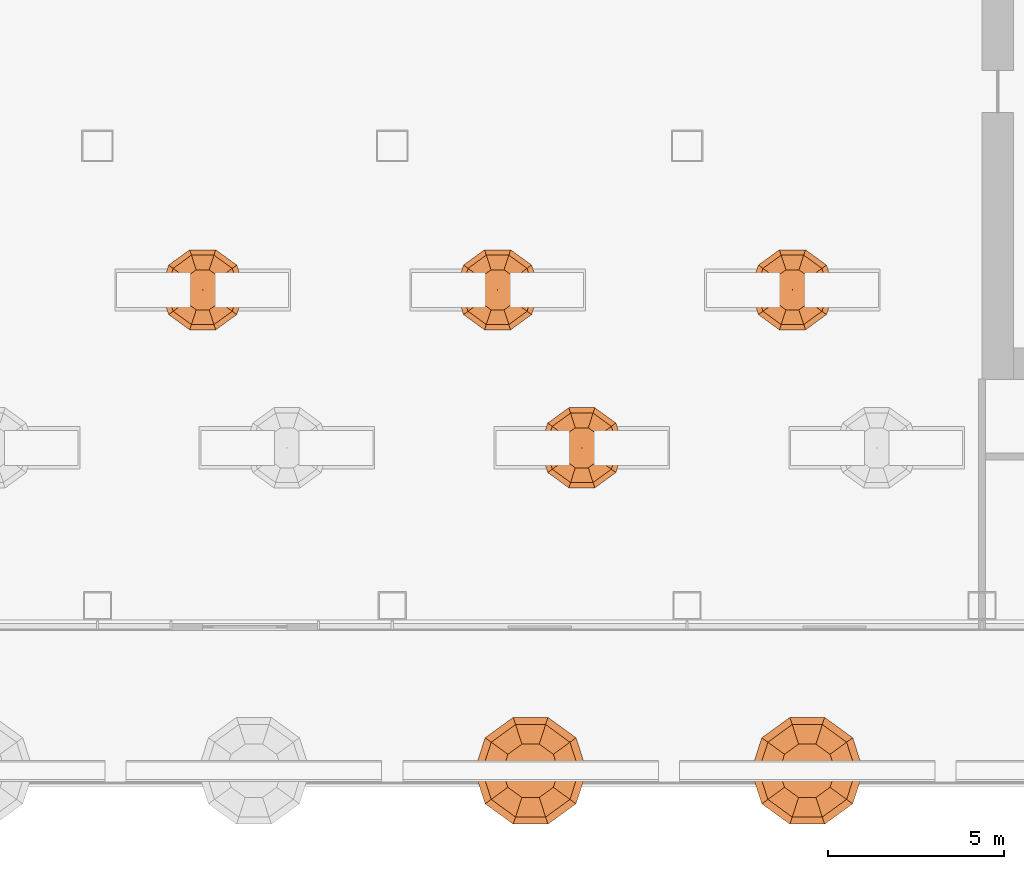
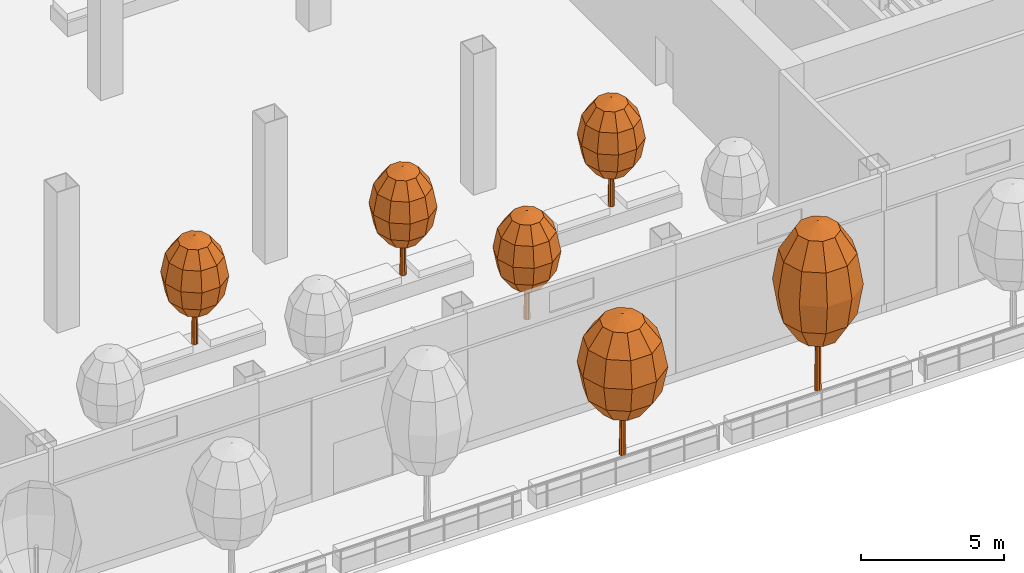
# One storey, part 40 of 44: 6 geographic elements.
"""IFC4 building model written with IfcOpenShell, lengths in metres."""

from ifc_helpers import new_model, si_unit, direction, frame, origin, place, context, subcontext, project, spatial, triangles, material, type_object, element, save


model = new_model("IFC4")

# Units and contexts
model_context = context("Model", 3, precision=1e-05, world=origin(), true_north=direction((0.0, 1.0)))
body_context = subcontext(model_context, "Body", "Model", "MODEL_VIEW")
ifc_project = project(units=[si_unit("LENGTHUNIT", "METRE"), si_unit("AREAUNIT", "SQUARE_METRE"), si_unit("VOLUMEUNIT", "CUBIC_METRE"), si_unit("PLANEANGLEUNIT", "RADIAN"), si_unit("MASSUNIT", "GRAM", prefix="KILO")], contexts=[model_context])

# Site, building, storey
site_placement = place(None, origin())
site = spatial("IfcSite", under=ifc_project, at=site_placement, CompositionType="ELEMENT")
building_placement = place(site_placement, origin())
building = spatial("IfcBuilding", under=site, at=building_placement, Name="Hakoniwa Tower and Hamabe Station Hall", CompositionType="ELEMENT")
storey_placement = place(building_placement, frame((0.0, 0.0, 69.0)))
storey = spatial("IfcBuildingStorey", under=building, at=storey_placement, Name="L19", CompositionType="ELEMENT", Elevation=69.0)

# Geographic elements
ifc_material_1 = material(Name="Tree foliage")
geographic_element_type_1 = type_object("IfcGeographicElementType", Name="Camellia 4.6 m", PredefinedType="USERDEFINED", material=ifc_material_1)
geographic_element_1_placement = place(storey_placement, frame((-5.39990234375, -5.85009765625, 0.60009765625)))
element("IfcGeographicElement", 1, at=geographic_element_1_placement, inside=storey, type_object=geographic_element_type_1, Name="Camellia 4-6 m", ObjectType="TREE", PredefinedType="USERDEFINED", context=body_context, shape_type="Tessellation", body=[
    triangles([(0.125, 0.0, 0.0), (0.08837890625, 0.08837890625, 0.0), (0.0, 0.125, 0.0), (-0.08837890625, 0.08837890625, 0.0), (-0.125, 0.0, 0.0), (-0.08837890625, -0.08837890625, 0.0), (0.0, -0.125, 0.0), (0.08837890625, -0.08837890625, 0.0), (0.074951171875, 0.0, 2.778564453125), (0.052978515625, 0.052978515625, 2.778564453125), (0.0, 0.074951171875, 2.778564453125), (-0.052978515625, 0.052978515625, 2.778564453125), (-0.074951171875, 0.0, 2.778564453125), (-0.052978515625, -0.052978515625, 2.778564453125), (0.0, -0.074951171875, 2.778564453125), (0.052978515625, -0.052978515625, 2.778564453125), (0.0, 0.0, 0.0), (0.0, 0.0, 2.778564453125)], [[1, 2, 10], [1, 10, 9], [17, 2, 1], [18, 9, 10], [2, 3, 11], [2, 11, 10], [17, 3, 2], [18, 10, 11], [3, 4, 12], [3, 12, 11], [17, 4, 3], [18, 11, 12], [4, 5, 13], [4, 13, 12], [17, 5, 4], [18, 12, 13], [5, 6, 14], [5, 14, 13], [17, 6, 5], [18, 13, 14], [6, 7, 15], [6, 15, 14], [17, 7, 6], [18, 14, 15], [7, 8, 16], [7, 16, 15], [17, 8, 7], [18, 15, 16], [8, 1, 9], [8, 9, 16], [17, 1, 8], [18, 16, 9]], closed=True),
    triangles([(0.0, 0.0, 1.2880859375), (0.599853515625, 0.0, 1.510009765625), (0.4853515625, 0.3525390625, 1.510009765625), (0.185302734375, 0.570556640625, 1.510009765625), (-0.185302734375, 0.570556640625, 1.510009765625), (-0.4853515625, 0.3525390625, 1.510009765625), (-0.599853515625, 0.0, 1.510009765625), (-0.4853515625, -0.3525390625, 1.510009765625), (-0.185302734375, -0.570556640625, 1.510009765625), (0.185302734375, -0.570556640625, 1.510009765625), (0.4853515625, -0.3525390625, 1.510009765625), (1.039306640625, 0.0, 2.115966796875), (0.8408203125, 0.61083984375, 2.115966796875), (0.321044921875, 0.98828125, 2.115966796875), (-0.321044921875, 0.98828125, 2.115966796875), (-0.8408203125, 0.61083984375, 2.115966796875), (-1.039306640625, 0.0, 2.115966796875), (-0.8408203125, -0.61083984375, 2.115966796875), (-0.321044921875, -0.98828125, 2.115966796875), (0.321044921875, -0.98828125, 2.115966796875), (0.8408203125, -0.61083984375, 2.115966796875), (1.199951171875, 0.0, 2.944091796875), (0.970703125, 0.705322265625, 2.944091796875), (0.370849609375, 1.14111328125, 2.944091796875), (-0.370849609375, 1.14111328125, 2.944091796875), (-0.970703125, 0.705322265625, 2.944091796875), (-1.199951171875, 0.0, 2.944091796875), (-0.970703125, -0.705322265625, 2.944091796875), (-0.370849609375, -1.14111328125, 2.944091796875), (0.370849609375, -1.14111328125, 2.944091796875), (0.970703125, -0.705322265625, 2.944091796875), (1.039306640625, 0.0, 3.77197265625), (0.8408203125, 0.61083984375, 3.77197265625), (0.321044921875, 0.98828125, 3.77197265625), (-0.321044921875, 0.98828125, 3.77197265625), (-0.8408203125, 0.61083984375, 3.77197265625), (-1.039306640625, 0.0, 3.77197265625), (-0.8408203125, -0.61083984375, 3.77197265625), (-0.321044921875, -0.98828125, 3.77197265625), (0.321044921875, -0.98828125, 3.77197265625), (0.8408203125, -0.61083984375, 3.77197265625), (0.599853515625, 0.0, 4.378173828125), (0.4853515625, 0.3525390625, 4.378173828125), (0.185302734375, 0.570556640625, 4.378173828125), (-0.185302734375, 0.570556640625, 4.378173828125), (-0.4853515625, 0.3525390625, 4.378173828125), (-0.599853515625, 0.0, 4.378173828125), (-0.4853515625, -0.3525390625, 4.378173828125), (-0.185302734375, -0.570556640625, 4.378173828125), (0.185302734375, -0.570556640625, 4.378173828125), (0.4853515625, -0.3525390625, 4.378173828125), (0.0, 0.0, 4.60009765625)], [[1, 3, 2], [1, 4, 3], [1, 5, 4], [1, 6, 5], [1, 7, 6], [1, 8, 7], [1, 9, 8], [1, 10, 9], [1, 11, 10], [1, 2, 11], [2, 3, 13], [2, 13, 12], [3, 4, 14], [3, 14, 13], [4, 5, 15], [4, 15, 14], [5, 6, 16], [5, 16, 15], [6, 7, 17], [6, 17, 16], [7, 8, 18], [7, 18, 17], [8, 9, 19], [8, 19, 18], [9, 10, 20], [9, 20, 19], [10, 11, 21], [10, 21, 20], [11, 2, 12], [11, 12, 21], [12, 13, 23], [12, 23, 22], [13, 14, 24], [13, 24, 23], [14, 15, 25], [14, 25, 24], [15, 16, 26], [15, 26, 25], [16, 17, 27], [16, 27, 26], [17, 18, 28], [17, 28, 27], [18, 19, 29], [18, 29, 28], [19, 20, 30], [19, 30, 29], [20, 21, 31], [20, 31, 30], [21, 12, 22], [21, 22, 31], [22, 23, 33], [22, 33, 32], [23, 24, 34], [23, 34, 33], [24, 25, 35], [24, 35, 34], [25, 26, 36], [25, 36, 35], [26, 27, 37], [26, 37, 36], [27, 28, 38], [27, 38, 37], [28, 29, 39], [28, 39, 38], [29, 30, 40], [29, 40, 39], [30, 31, 41], [30, 41, 40], [31, 22, 32], [31, 32, 41], [32, 33, 43], [32, 43, 42], [33, 34, 44], [33, 44, 43], [34, 35, 45], [34, 45, 44], [35, 36, 46], [35, 46, 45], [36, 37, 47], [36, 47, 46], [37, 38, 48], [37, 48, 47], [38, 39, 49], [38, 49, 48], [39, 40, 50], [39, 50, 49], [40, 41, 51], [40, 51, 50], [41, 32, 42], [41, 42, 51], [52, 42, 43], [52, 43, 44], [52, 44, 45], [52, 45, 46], [52, 46, 47], [52, 47, 48], [52, 48, 49], [52, 49, 50], [52, 50, 51], [52, 51, 42]], closed=True),
])
geographic_element_2_placement = place(storey_placement, frame((3.0, -5.85009765625, 0.60009765625)))
element("IfcGeographicElement", 2, at=geographic_element_2_placement, inside=storey, type_object=geographic_element_type_1, Name="Camellia 4-6 m", ObjectType="TREE", PredefinedType="USERDEFINED", context=body_context, shape_type="Tessellation", body=[
    triangles([(0.125, 0.0, 0.0), (0.08837890625, 0.08837890625, 0.0), (0.0, 0.125, 0.0), (-0.08837890625, 0.08837890625, 0.0), (-0.125, 0.0, 0.0), (-0.08837890625, -0.08837890625, 0.0), (0.0, -0.125, 0.0), (0.08837890625, -0.08837890625, 0.0), (0.074951171875, 0.0, 2.778564453125), (0.052978515625, 0.052978515625, 2.778564453125), (0.0, 0.074951171875, 2.778564453125), (-0.052978515625, 0.052978515625, 2.778564453125), (-0.074951171875, 0.0, 2.778564453125), (-0.052978515625, -0.052978515625, 2.778564453125), (0.0, -0.074951171875, 2.778564453125), (0.052978515625, -0.052978515625, 2.778564453125), (0.0, 0.0, 0.0), (0.0, 0.0, 2.778564453125)], [[1, 2, 10], [1, 10, 9], [17, 2, 1], [18, 9, 10], [2, 3, 11], [2, 11, 10], [17, 3, 2], [18, 10, 11], [3, 4, 12], [3, 12, 11], [17, 4, 3], [18, 11, 12], [4, 5, 13], [4, 13, 12], [17, 5, 4], [18, 12, 13], [5, 6, 14], [5, 14, 13], [17, 6, 5], [18, 13, 14], [6, 7, 15], [6, 15, 14], [17, 7, 6], [18, 14, 15], [7, 8, 16], [7, 16, 15], [17, 8, 7], [18, 15, 16], [8, 1, 9], [8, 9, 16], [17, 1, 8], [18, 16, 9]], closed=True),
    triangles([(0.0, 0.0, 1.2880859375), (0.599853515625, 0.0, 1.510009765625), (0.4853515625, 0.3525390625, 1.510009765625), (0.185302734375, 0.570556640625, 1.510009765625), (-0.185302734375, 0.570556640625, 1.510009765625), (-0.4853515625, 0.3525390625, 1.510009765625), (-0.599853515625, 0.0, 1.510009765625), (-0.4853515625, -0.3525390625, 1.510009765625), (-0.185302734375, -0.570556640625, 1.510009765625), (0.185302734375, -0.570556640625, 1.510009765625), (0.4853515625, -0.3525390625, 1.510009765625), (1.039306640625, 0.0, 2.115966796875), (0.8408203125, 0.61083984375, 2.115966796875), (0.321044921875, 0.98828125, 2.115966796875), (-0.321044921875, 0.98828125, 2.115966796875), (-0.8408203125, 0.61083984375, 2.115966796875), (-1.039306640625, 0.0, 2.115966796875), (-0.8408203125, -0.61083984375, 2.115966796875), (-0.321044921875, -0.98828125, 2.115966796875), (0.321044921875, -0.98828125, 2.115966796875), (0.8408203125, -0.61083984375, 2.115966796875), (1.199951171875, 0.0, 2.944091796875), (0.970703125, 0.705322265625, 2.944091796875), (0.370849609375, 1.14111328125, 2.944091796875), (-0.370849609375, 1.14111328125, 2.944091796875), (-0.970703125, 0.705322265625, 2.944091796875), (-1.199951171875, 0.0, 2.944091796875), (-0.970703125, -0.705322265625, 2.944091796875), (-0.370849609375, -1.14111328125, 2.944091796875), (0.370849609375, -1.14111328125, 2.944091796875), (0.970703125, -0.705322265625, 2.944091796875), (1.039306640625, 0.0, 3.77197265625), (0.8408203125, 0.61083984375, 3.77197265625), (0.321044921875, 0.98828125, 3.77197265625), (-0.321044921875, 0.98828125, 3.77197265625), (-0.8408203125, 0.61083984375, 3.77197265625), (-1.039306640625, 0.0, 3.77197265625), (-0.8408203125, -0.61083984375, 3.77197265625), (-0.321044921875, -0.98828125, 3.77197265625), (0.321044921875, -0.98828125, 3.77197265625), (0.8408203125, -0.61083984375, 3.77197265625), (0.599853515625, 0.0, 4.378173828125), (0.4853515625, 0.3525390625, 4.378173828125), (0.185302734375, 0.570556640625, 4.378173828125), (-0.185302734375, 0.570556640625, 4.378173828125), (-0.4853515625, 0.3525390625, 4.378173828125), (-0.599853515625, 0.0, 4.378173828125), (-0.4853515625, -0.3525390625, 4.378173828125), (-0.185302734375, -0.570556640625, 4.378173828125), (0.185302734375, -0.570556640625, 4.378173828125), (0.4853515625, -0.3525390625, 4.378173828125), (0.0, 0.0, 4.60009765625)], [[1, 3, 2], [1, 4, 3], [1, 5, 4], [1, 6, 5], [1, 7, 6], [1, 8, 7], [1, 9, 8], [1, 10, 9], [1, 11, 10], [1, 2, 11], [2, 3, 13], [2, 13, 12], [3, 4, 14], [3, 14, 13], [4, 5, 15], [4, 15, 14], [5, 6, 16], [5, 16, 15], [6, 7, 17], [6, 17, 16], [7, 8, 18], [7, 18, 17], [8, 9, 19], [8, 19, 18], [9, 10, 20], [9, 20, 19], [10, 11, 21], [10, 21, 20], [11, 2, 12], [11, 12, 21], [12, 13, 23], [12, 23, 22], [13, 14, 24], [13, 24, 23], [14, 15, 25], [14, 25, 24], [15, 16, 26], [15, 26, 25], [16, 17, 27], [16, 27, 26], [17, 18, 28], [17, 28, 27], [18, 19, 29], [18, 29, 28], [19, 20, 30], [19, 30, 29], [20, 21, 31], [20, 31, 30], [21, 12, 22], [21, 22, 31], [22, 23, 33], [22, 33, 32], [23, 24, 34], [23, 34, 33], [24, 25, 35], [24, 35, 34], [25, 26, 36], [25, 36, 35], [26, 27, 37], [26, 37, 36], [27, 28, 38], [27, 38, 37], [28, 29, 39], [28, 39, 38], [29, 30, 40], [29, 40, 39], [30, 31, 41], [30, 41, 40], [31, 22, 32], [31, 32, 41], [32, 33, 43], [32, 43, 42], [33, 34, 44], [33, 44, 43], [34, 35, 45], [34, 45, 44], [35, 36, 46], [35, 46, 45], [36, 37, 47], [36, 47, 46], [37, 38, 48], [37, 48, 47], [38, 39, 49], [38, 49, 48], [39, 40, 50], [39, 50, 49], [40, 41, 51], [40, 51, 50], [41, 32, 42], [41, 42, 51], [52, 42, 43], [52, 43, 44], [52, 44, 45], [52, 45, 46], [52, 46, 47], [52, 47, 48], [52, 48, 49], [52, 49, 50], [52, 50, 51], [52, 51, 42]], closed=True),
])
geographic_element_3_placement = place(storey_placement, frame((11.39990234375, -5.85009765625, 0.60009765625)))
element("IfcGeographicElement", 3, at=geographic_element_3_placement, inside=storey, type_object=geographic_element_type_1, Name="Camellia 4-6 m", ObjectType="TREE", PredefinedType="USERDEFINED", context=body_context, shape_type="Tessellation", body=[
    triangles([(0.125, 0.0, 0.0), (0.08837890625, 0.08837890625, 0.0), (0.0, 0.125, 0.0), (-0.08837890625, 0.08837890625, 0.0), (-0.125, 0.0, 0.0), (-0.08837890625, -0.08837890625, 0.0), (0.0, -0.125, 0.0), (0.08837890625, -0.08837890625, 0.0), (0.074951171875, 0.0, 2.778564453125), (0.052978515625, 0.052978515625, 2.778564453125), (0.0, 0.074951171875, 2.778564453125), (-0.052978515625, 0.052978515625, 2.778564453125), (-0.074951171875, 0.0, 2.778564453125), (-0.052978515625, -0.052978515625, 2.778564453125), (0.0, -0.074951171875, 2.778564453125), (0.052978515625, -0.052978515625, 2.778564453125), (0.0, 0.0, 0.0), (0.0, 0.0, 2.778564453125)], [[1, 2, 10], [1, 10, 9], [17, 2, 1], [18, 9, 10], [2, 3, 11], [2, 11, 10], [17, 3, 2], [18, 10, 11], [3, 4, 12], [3, 12, 11], [17, 4, 3], [18, 11, 12], [4, 5, 13], [4, 13, 12], [17, 5, 4], [18, 12, 13], [5, 6, 14], [5, 14, 13], [17, 6, 5], [18, 13, 14], [6, 7, 15], [6, 15, 14], [17, 7, 6], [18, 14, 15], [7, 8, 16], [7, 16, 15], [17, 8, 7], [18, 15, 16], [8, 1, 9], [8, 9, 16], [17, 1, 8], [18, 16, 9]], closed=True),
    triangles([(0.0, 0.0, 1.2880859375), (0.599853515625, 0.0, 1.510009765625), (0.4853515625, 0.3525390625, 1.510009765625), (0.185302734375, 0.570556640625, 1.510009765625), (-0.185302734375, 0.570556640625, 1.510009765625), (-0.4853515625, 0.3525390625, 1.510009765625), (-0.599853515625, 0.0, 1.510009765625), (-0.4853515625, -0.3525390625, 1.510009765625), (-0.185302734375, -0.570556640625, 1.510009765625), (0.185302734375, -0.570556640625, 1.510009765625), (0.4853515625, -0.3525390625, 1.510009765625), (1.039306640625, 0.0, 2.115966796875), (0.8408203125, 0.61083984375, 2.115966796875), (0.321044921875, 0.98828125, 2.115966796875), (-0.321044921875, 0.98828125, 2.115966796875), (-0.8408203125, 0.61083984375, 2.115966796875), (-1.039306640625, 0.0, 2.115966796875), (-0.8408203125, -0.61083984375, 2.115966796875), (-0.321044921875, -0.98828125, 2.115966796875), (0.321044921875, -0.98828125, 2.115966796875), (0.8408203125, -0.61083984375, 2.115966796875), (1.199951171875, 0.0, 2.944091796875), (0.970703125, 0.705322265625, 2.944091796875), (0.370849609375, 1.14111328125, 2.944091796875), (-0.370849609375, 1.14111328125, 2.944091796875), (-0.970703125, 0.705322265625, 2.944091796875), (-1.199951171875, 0.0, 2.944091796875), (-0.970703125, -0.705322265625, 2.944091796875), (-0.370849609375, -1.14111328125, 2.944091796875), (0.370849609375, -1.14111328125, 2.944091796875), (0.970703125, -0.705322265625, 2.944091796875), (1.039306640625, 0.0, 3.77197265625), (0.8408203125, 0.61083984375, 3.77197265625), (0.321044921875, 0.98828125, 3.77197265625), (-0.321044921875, 0.98828125, 3.77197265625), (-0.8408203125, 0.61083984375, 3.77197265625), (-1.039306640625, 0.0, 3.77197265625), (-0.8408203125, -0.61083984375, 3.77197265625), (-0.321044921875, -0.98828125, 3.77197265625), (0.321044921875, -0.98828125, 3.77197265625), (0.8408203125, -0.61083984375, 3.77197265625), (0.599853515625, 0.0, 4.378173828125), (0.4853515625, 0.3525390625, 4.378173828125), (0.185302734375, 0.570556640625, 4.378173828125), (-0.185302734375, 0.570556640625, 4.378173828125), (-0.4853515625, 0.3525390625, 4.378173828125), (-0.599853515625, 0.0, 4.378173828125), (-0.4853515625, -0.3525390625, 4.378173828125), (-0.185302734375, -0.570556640625, 4.378173828125), (0.185302734375, -0.570556640625, 4.378173828125), (0.4853515625, -0.3525390625, 4.378173828125), (0.0, 0.0, 4.60009765625)], [[1, 3, 2], [1, 4, 3], [1, 5, 4], [1, 6, 5], [1, 7, 6], [1, 8, 7], [1, 9, 8], [1, 10, 9], [1, 11, 10], [1, 2, 11], [2, 3, 13], [2, 13, 12], [3, 4, 14], [3, 14, 13], [4, 5, 15], [4, 15, 14], [5, 6, 16], [5, 16, 15], [6, 7, 17], [6, 17, 16], [7, 8, 18], [7, 18, 17], [8, 9, 19], [8, 19, 18], [9, 10, 20], [9, 20, 19], [10, 11, 21], [10, 21, 20], [11, 2, 12], [11, 12, 21], [12, 13, 23], [12, 23, 22], [13, 14, 24], [13, 24, 23], [14, 15, 25], [14, 25, 24], [15, 16, 26], [15, 26, 25], [16, 17, 27], [16, 27, 26], [17, 18, 28], [17, 28, 27], [18, 19, 29], [18, 29, 28], [19, 20, 30], [19, 30, 29], [20, 21, 31], [20, 31, 30], [21, 12, 22], [21, 22, 31], [22, 23, 33], [22, 33, 32], [23, 24, 34], [23, 34, 33], [24, 25, 35], [24, 35, 34], [25, 26, 36], [25, 36, 35], [26, 27, 37], [26, 37, 36], [27, 28, 38], [27, 38, 37], [28, 29, 39], [28, 39, 38], [29, 30, 40], [29, 40, 39], [30, 31, 41], [30, 41, 40], [31, 22, 32], [31, 32, 41], [32, 33, 43], [32, 43, 42], [33, 34, 44], [33, 44, 43], [34, 35, 45], [34, 45, 44], [35, 36, 46], [35, 46, 45], [36, 37, 47], [36, 47, 46], [37, 38, 48], [37, 48, 47], [38, 39, 49], [38, 49, 48], [39, 40, 50], [39, 50, 49], [40, 41, 51], [40, 51, 50], [41, 32, 42], [41, 42, 51], [52, 42, 43], [52, 43, 44], [52, 44, 45], [52, 45, 46], [52, 46, 47], [52, 47, 48], [52, 48, 49], [52, 49, 50], [52, 50, 51], [52, 51, 42]], closed=True),
])
geographic_element_4_placement = place(storey_placement, frame((5.39990234375, -10.35009765625, 0.60009765625)))
element("IfcGeographicElement", 4, at=geographic_element_4_placement, inside=storey, type_object=geographic_element_type_1, Name="Camellia 4-6 m", ObjectType="TREE", PredefinedType="USERDEFINED", context=body_context, shape_type="Tessellation", body=[
    triangles([(0.125, 0.0, 0.0), (0.08837890625, 0.08837890625, 0.0), (0.0, 0.125, 0.0), (-0.08837890625, 0.08837890625, 0.0), (-0.125, 0.0, 0.0), (-0.08837890625, -0.08837890625, 0.0), (0.0, -0.125, 0.0), (0.08837890625, -0.08837890625, 0.0), (0.074951171875, 0.0, 2.778564453125), (0.052978515625, 0.052978515625, 2.778564453125), (0.0, 0.074951171875, 2.778564453125), (-0.052978515625, 0.052978515625, 2.778564453125), (-0.074951171875, 0.0, 2.778564453125), (-0.052978515625, -0.052978515625, 2.778564453125), (0.0, -0.074951171875, 2.778564453125), (0.052978515625, -0.052978515625, 2.778564453125), (0.0, 0.0, 0.0), (0.0, 0.0, 2.778564453125)], [[1, 2, 10], [1, 10, 9], [17, 2, 1], [18, 9, 10], [2, 3, 11], [2, 11, 10], [17, 3, 2], [18, 10, 11], [3, 4, 12], [3, 12, 11], [17, 4, 3], [18, 11, 12], [4, 5, 13], [4, 13, 12], [17, 5, 4], [18, 12, 13], [5, 6, 14], [5, 14, 13], [17, 6, 5], [18, 13, 14], [6, 7, 15], [6, 15, 14], [17, 7, 6], [18, 14, 15], [7, 8, 16], [7, 16, 15], [17, 8, 7], [18, 15, 16], [8, 1, 9], [8, 9, 16], [17, 1, 8], [18, 16, 9]], closed=True),
    triangles([(0.0, 0.0, 1.2880859375), (0.599853515625, 0.0, 1.510009765625), (0.4853515625, 0.3525390625, 1.510009765625), (0.185302734375, 0.570556640625, 1.510009765625), (-0.185302734375, 0.570556640625, 1.510009765625), (-0.4853515625, 0.3525390625, 1.510009765625), (-0.599853515625, 0.0, 1.510009765625), (-0.4853515625, -0.3525390625, 1.510009765625), (-0.185302734375, -0.570556640625, 1.510009765625), (0.185302734375, -0.570556640625, 1.510009765625), (0.4853515625, -0.3525390625, 1.510009765625), (1.039306640625, 0.0, 2.115966796875), (0.8408203125, 0.61083984375, 2.115966796875), (0.321044921875, 0.98828125, 2.115966796875), (-0.321044921875, 0.98828125, 2.115966796875), (-0.8408203125, 0.61083984375, 2.115966796875), (-1.039306640625, 0.0, 2.115966796875), (-0.8408203125, -0.61083984375, 2.115966796875), (-0.321044921875, -0.98828125, 2.115966796875), (0.321044921875, -0.98828125, 2.115966796875), (0.8408203125, -0.61083984375, 2.115966796875), (1.199951171875, 0.0, 2.944091796875), (0.970703125, 0.705322265625, 2.944091796875), (0.370849609375, 1.14111328125, 2.944091796875), (-0.370849609375, 1.14111328125, 2.944091796875), (-0.970703125, 0.705322265625, 2.944091796875), (-1.199951171875, 0.0, 2.944091796875), (-0.970703125, -0.705322265625, 2.944091796875), (-0.370849609375, -1.14111328125, 2.944091796875), (0.370849609375, -1.14111328125, 2.944091796875), (0.970703125, -0.705322265625, 2.944091796875), (1.039306640625, 0.0, 3.77197265625), (0.8408203125, 0.61083984375, 3.77197265625), (0.321044921875, 0.98828125, 3.77197265625), (-0.321044921875, 0.98828125, 3.77197265625), (-0.8408203125, 0.61083984375, 3.77197265625), (-1.039306640625, 0.0, 3.77197265625), (-0.8408203125, -0.61083984375, 3.77197265625), (-0.321044921875, -0.98828125, 3.77197265625), (0.321044921875, -0.98828125, 3.77197265625), (0.8408203125, -0.61083984375, 3.77197265625), (0.599853515625, 0.0, 4.378173828125), (0.4853515625, 0.3525390625, 4.378173828125), (0.185302734375, 0.570556640625, 4.378173828125), (-0.185302734375, 0.570556640625, 4.378173828125), (-0.4853515625, 0.3525390625, 4.378173828125), (-0.599853515625, 0.0, 4.378173828125), (-0.4853515625, -0.3525390625, 4.378173828125), (-0.185302734375, -0.570556640625, 4.378173828125), (0.185302734375, -0.570556640625, 4.378173828125), (0.4853515625, -0.3525390625, 4.378173828125), (0.0, 0.0, 4.60009765625)], [[1, 3, 2], [1, 4, 3], [1, 5, 4], [1, 6, 5], [1, 7, 6], [1, 8, 7], [1, 9, 8], [1, 10, 9], [1, 11, 10], [1, 2, 11], [2, 3, 13], [2, 13, 12], [3, 4, 14], [3, 14, 13], [4, 5, 15], [4, 15, 14], [5, 6, 16], [5, 16, 15], [6, 7, 17], [6, 17, 16], [7, 8, 18], [7, 18, 17], [8, 9, 19], [8, 19, 18], [9, 10, 20], [9, 20, 19], [10, 11, 21], [10, 21, 20], [11, 2, 12], [11, 12, 21], [12, 13, 23], [12, 23, 22], [13, 14, 24], [13, 24, 23], [14, 15, 25], [14, 25, 24], [15, 16, 26], [15, 26, 25], [16, 17, 27], [16, 27, 26], [17, 18, 28], [17, 28, 27], [18, 19, 29], [18, 29, 28], [19, 20, 30], [19, 30, 29], [20, 21, 31], [20, 31, 30], [21, 12, 22], [21, 22, 31], [22, 23, 33], [22, 33, 32], [23, 24, 34], [23, 34, 33], [24, 25, 35], [24, 35, 34], [25, 26, 36], [25, 36, 35], [26, 27, 37], [26, 37, 36], [27, 28, 38], [27, 38, 37], [28, 29, 39], [28, 39, 38], [29, 30, 40], [29, 40, 39], [30, 31, 41], [30, 41, 40], [31, 22, 32], [31, 32, 41], [32, 33, 43], [32, 43, 42], [33, 34, 44], [33, 44, 43], [34, 35, 45], [34, 45, 44], [35, 36, 46], [35, 46, 45], [36, 37, 47], [36, 47, 46], [37, 38, 48], [37, 48, 47], [38, 39, 49], [38, 49, 48], [39, 40, 50], [39, 50, 49], [40, 41, 51], [40, 51, 50], [41, 32, 42], [41, 42, 51], [52, 42, 43], [52, 43, 44], [52, 44, 45], [52, 45, 46], [52, 46, 47], [52, 47, 48], [52, 48, 49], [52, 49, 50], [52, 50, 51], [52, 51, 42]], closed=True),
])
ifc_material_2 = material(Name="Tree foliage")
geographic_element_type_2 = type_object("IfcGeographicElementType", Name="Japanese maple 7.2 m", PredefinedType="USERDEFINED", material=ifc_material_2)
geographic_element_5_placement = place(storey_placement, frame((11.82177734375, -19.551025390625, 0.89990234375)))
element("IfcGeographicElement", 5, at=geographic_element_5_placement, inside=storey, type_object=geographic_element_type_2, Name="Japanese maple 7-2 m", ObjectType="TREE", PredefinedType="USERDEFINED", context=body_context, shape_type="Tessellation", body=[
    triangles([(0.125, 0.0, 0.0), (0.08837890625, 0.08837890625, 0.0), (0.0, 0.125, 0.0), (-0.08837890625, 0.08837890625, 0.0), (-0.125, 0.0, 0.0), (-0.08837890625, -0.08837890625, 0.0), (0.0, -0.125, 0.0), (0.08837890625, -0.08837890625, 0.0), (0.074951171875, 0.0, 4.348876953125), (0.052978515625, 0.052978515625, 4.348876953125), (0.0, 0.074951171875, 4.348876953125), (-0.052978515625, 0.052978515625, 4.348876953125), (-0.074951171875, 0.0, 4.348876953125), (-0.052978515625, -0.052978515625, 4.348876953125), (0.0, -0.074951171875, 4.348876953125), (0.052978515625, -0.052978515625, 4.348876953125), (0.0, 0.0, 0.0), (0.0, 0.0, 4.348876953125)], [[1, 2, 10], [1, 10, 9], [17, 2, 1], [18, 9, 10], [2, 3, 11], [2, 11, 10], [17, 3, 2], [18, 10, 11], [3, 4, 12], [3, 12, 11], [17, 4, 3], [18, 11, 12], [4, 5, 13], [4, 13, 12], [17, 5, 4], [18, 12, 13], [5, 6, 14], [5, 14, 13], [17, 6, 5], [18, 13, 14], [6, 7, 15], [6, 15, 14], [17, 7, 6], [18, 14, 15], [7, 8, 16], [7, 16, 15], [17, 8, 7], [18, 15, 16], [8, 1, 9], [8, 9, 16], [17, 1, 8], [18, 16, 9]], closed=True),
    triangles([(0.0, 0.0, 2.015869140625), (0.800048828125, 0.0, 2.36328125), (0.647216796875, 0.47021484375, 2.36328125), (0.247314453125, 0.7607421875, 2.36328125), (-0.247314453125, 0.7607421875, 2.36328125), (-0.647216796875, 0.47021484375, 2.36328125), (-0.800048828125, 0.0, 2.36328125), (-0.647216796875, -0.47021484375, 2.36328125), (-0.247314453125, -0.7607421875, 2.36328125), (0.247314453125, -0.7607421875, 2.36328125), (0.647216796875, -0.47021484375, 2.36328125), (1.385498046875, 0.0, 3.31201171875), (1.12109375, 0.814453125, 3.31201171875), (0.42822265625, 1.31787109375, 3.31201171875), (-0.42822265625, 1.31787109375, 3.31201171875), (-1.12109375, 0.814453125, 3.31201171875), (-1.385498046875, 0.0, 3.31201171875), (-1.12109375, -0.814453125, 3.31201171875), (-0.42822265625, -1.31787109375, 3.31201171875), (0.42822265625, -1.31787109375, 3.31201171875), (1.12109375, -0.814453125, 3.31201171875), (1.60009765625, 0.0, 4.60791015625), (1.29443359375, 0.9404296875, 4.60791015625), (0.494384765625, 1.521728515625, 4.60791015625), (-0.494384765625, 1.521728515625, 4.60791015625), (-1.29443359375, 0.9404296875, 4.60791015625), (-1.60009765625, 0.0, 4.60791015625), (-1.29443359375, -0.9404296875, 4.60791015625), (-0.494384765625, -1.521728515625, 4.60791015625), (0.494384765625, -1.521728515625, 4.60791015625), (1.29443359375, -0.9404296875, 4.60791015625), (1.385498046875, 0.0, 5.904052734375), (1.12109375, 0.814453125, 5.904052734375), (0.42822265625, 1.31787109375, 5.904052734375), (-0.42822265625, 1.31787109375, 5.904052734375), (-1.12109375, 0.814453125, 5.904052734375), (-1.385498046875, 0.0, 5.904052734375), (-1.12109375, -0.814453125, 5.904052734375), (-0.42822265625, -1.31787109375, 5.904052734375), (0.42822265625, -1.31787109375, 5.904052734375), (1.12109375, -0.814453125, 5.904052734375), (0.800048828125, 0.0, 6.852783203125), (0.647216796875, 0.47021484375, 6.852783203125), (0.247314453125, 0.7607421875, 6.852783203125), (-0.247314453125, 0.7607421875, 6.852783203125), (-0.647216796875, 0.47021484375, 6.852783203125), (-0.800048828125, 0.0, 6.852783203125), (-0.647216796875, -0.47021484375, 6.852783203125), (-0.247314453125, -0.7607421875, 6.852783203125), (0.247314453125, -0.7607421875, 6.852783203125), (0.647216796875, -0.47021484375, 6.852783203125), (0.0, 0.0, 7.199951171875)], [[1, 3, 2], [1, 4, 3], [1, 5, 4], [1, 6, 5], [1, 7, 6], [1, 8, 7], [1, 9, 8], [1, 10, 9], [1, 11, 10], [1, 2, 11], [2, 3, 13], [2, 13, 12], [3, 4, 14], [3, 14, 13], [4, 5, 15], [4, 15, 14], [5, 6, 16], [5, 16, 15], [6, 7, 17], [6, 17, 16], [7, 8, 18], [7, 18, 17], [8, 9, 19], [8, 19, 18], [9, 10, 20], [9, 20, 19], [10, 11, 21], [10, 21, 20], [11, 2, 12], [11, 12, 21], [12, 13, 23], [12, 23, 22], [13, 14, 24], [13, 24, 23], [14, 15, 25], [14, 25, 24], [15, 16, 26], [15, 26, 25], [16, 17, 27], [16, 27, 26], [17, 18, 28], [17, 28, 27], [18, 19, 29], [18, 29, 28], [19, 20, 30], [19, 30, 29], [20, 21, 31], [20, 31, 30], [21, 12, 22], [21, 22, 31], [22, 23, 33], [22, 33, 32], [23, 24, 34], [23, 34, 33], [24, 25, 35], [24, 35, 34], [25, 26, 36], [25, 36, 35], [26, 27, 37], [26, 37, 36], [27, 28, 38], [27, 38, 37], [28, 29, 39], [28, 39, 38], [29, 30, 40], [29, 40, 39], [30, 31, 41], [30, 41, 40], [31, 22, 32], [31, 32, 41], [32, 33, 43], [32, 43, 42], [33, 34, 44], [33, 44, 43], [34, 35, 45], [34, 45, 44], [35, 36, 46], [35, 46, 45], [36, 37, 47], [36, 47, 46], [37, 38, 48], [37, 48, 47], [38, 39, 49], [38, 49, 48], [39, 40, 50], [39, 50, 49], [40, 41, 51], [40, 51, 50], [41, 32, 42], [41, 42, 51], [52, 42, 43], [52, 43, 44], [52, 44, 45], [52, 45, 46], [52, 46, 47], [52, 47, 48], [52, 48, 49], [52, 49, 50], [52, 50, 51], [52, 51, 42]], closed=True),
])
ifc_material_3 = material(Name="Tree foliage")
geographic_element_type_3 = type_object("IfcGeographicElementType", Name="Osmanthus 6.0 m", PredefinedType="USERDEFINED", material=ifc_material_3)
geographic_element_6_placement = place(storey_placement, frame((3.940673828125, -19.551025390625, 0.89990234375)))
element("IfcGeographicElement", 6, at=geographic_element_6_placement, inside=storey, type_object=geographic_element_type_3, Name="Osmanthus 6-0 m", ObjectType="TREE", PredefinedType="USERDEFINED", context=body_context, shape_type="Tessellation", body=[
    triangles([(0.125, 0.0, 0.0), (0.08837890625, 0.08837890625, 0.0), (0.0, 0.125, 0.0), (-0.08837890625, 0.08837890625, 0.0), (-0.125, 0.0, 0.0), (-0.08837890625, -0.08837890625, 0.0), (0.0, -0.125, 0.0), (0.08837890625, -0.08837890625, 0.0), (0.074951171875, 0.0, 3.6240234375), (0.052978515625, 0.052978515625, 3.6240234375), (0.0, 0.074951171875, 3.6240234375), (-0.052978515625, 0.052978515625, 3.6240234375), (-0.074951171875, 0.0, 3.6240234375), (-0.052978515625, -0.052978515625, 3.6240234375), (0.0, -0.074951171875, 3.6240234375), (0.052978515625, -0.052978515625, 3.6240234375), (0.0, 0.0, 0.0), (0.0, 0.0, 3.6240234375)], [[1, 2, 10], [1, 10, 9], [17, 2, 1], [18, 9, 10], [2, 3, 11], [2, 11, 10], [17, 3, 2], [18, 10, 11], [3, 4, 12], [3, 12, 11], [17, 4, 3], [18, 11, 12], [4, 5, 13], [4, 13, 12], [17, 5, 4], [18, 12, 13], [5, 6, 14], [5, 14, 13], [17, 6, 5], [18, 13, 14], [6, 7, 15], [6, 15, 14], [17, 7, 6], [18, 14, 15], [7, 8, 16], [7, 16, 15], [17, 8, 7], [18, 15, 16], [8, 1, 9], [8, 9, 16], [17, 1, 8], [18, 16, 9]], closed=True),
    triangles([(0.0, 0.0, 1.679931640625), (0.800048828125, 0.0, 1.969482421875), (0.647216796875, 0.47021484375, 1.969482421875), (0.247314453125, 0.7607421875, 1.969482421875), (-0.247314453125, 0.7607421875, 1.969482421875), (-0.647216796875, 0.47021484375, 1.969482421875), (-0.800048828125, 0.0, 1.969482421875), (-0.647216796875, -0.47021484375, 1.969482421875), (-0.247314453125, -0.7607421875, 1.969482421875), (0.247314453125, -0.7607421875, 1.969482421875), (0.647216796875, -0.47021484375, 1.969482421875), (1.385498046875, 0.0, 2.760009765625), (1.12109375, 0.814453125, 2.760009765625), (0.42822265625, 1.31787109375, 2.760009765625), (-0.42822265625, 1.31787109375, 2.760009765625), (-1.12109375, 0.814453125, 2.760009765625), (-1.385498046875, 0.0, 2.760009765625), (-1.12109375, -0.814453125, 2.760009765625), (-0.42822265625, -1.31787109375, 2.760009765625), (0.42822265625, -1.31787109375, 2.760009765625), (1.12109375, -0.814453125, 2.760009765625), (1.60009765625, 0.0, 3.840087890625), (1.29443359375, 0.9404296875, 3.840087890625), (0.494384765625, 1.521728515625, 3.840087890625), (-0.494384765625, 1.521728515625, 3.840087890625), (-1.29443359375, 0.9404296875, 3.840087890625), (-1.60009765625, 0.0, 3.840087890625), (-1.29443359375, -0.9404296875, 3.840087890625), (-0.494384765625, -1.521728515625, 3.840087890625), (0.494384765625, -1.521728515625, 3.840087890625), (1.29443359375, -0.9404296875, 3.840087890625), (1.385498046875, 0.0, 4.919921875), (1.12109375, 0.814453125, 4.919921875), (0.42822265625, 1.31787109375, 4.919921875), (-0.42822265625, 1.31787109375, 4.919921875), (-1.12109375, 0.814453125, 4.919921875), (-1.385498046875, 0.0, 4.919921875), (-1.12109375, -0.814453125, 4.919921875), (-0.42822265625, -1.31787109375, 4.919921875), (0.42822265625, -1.31787109375, 4.919921875), (1.12109375, -0.814453125, 4.919921875), (0.800048828125, 0.0, 5.710693359375), (0.647216796875, 0.47021484375, 5.710693359375), (0.247314453125, 0.7607421875, 5.710693359375), (-0.247314453125, 0.7607421875, 5.710693359375), (-0.647216796875, 0.47021484375, 5.710693359375), (-0.800048828125, 0.0, 5.710693359375), (-0.647216796875, -0.47021484375, 5.710693359375), (-0.247314453125, -0.7607421875, 5.710693359375), (0.247314453125, -0.7607421875, 5.710693359375), (0.647216796875, -0.47021484375, 5.710693359375), (0.0, 0.0, 6.0)], [[1, 3, 2], [1, 4, 3], [1, 5, 4], [1, 6, 5], [1, 7, 6], [1, 8, 7], [1, 9, 8], [1, 10, 9], [1, 11, 10], [1, 2, 11], [2, 3, 13], [2, 13, 12], [3, 4, 14], [3, 14, 13], [4, 5, 15], [4, 15, 14], [5, 6, 16], [5, 16, 15], [6, 7, 17], [6, 17, 16], [7, 8, 18], [7, 18, 17], [8, 9, 19], [8, 19, 18], [9, 10, 20], [9, 20, 19], [10, 11, 21], [10, 21, 20], [11, 2, 12], [11, 12, 21], [12, 13, 23], [12, 23, 22], [13, 14, 24], [13, 24, 23], [14, 15, 25], [14, 25, 24], [15, 16, 26], [15, 26, 25], [16, 17, 27], [16, 27, 26], [17, 18, 28], [17, 28, 27], [18, 19, 29], [18, 29, 28], [19, 20, 30], [19, 30, 29], [20, 21, 31], [20, 31, 30], [21, 12, 22], [21, 22, 31], [22, 23, 33], [22, 33, 32], [23, 24, 34], [23, 34, 33], [24, 25, 35], [24, 35, 34], [25, 26, 36], [25, 36, 35], [26, 27, 37], [26, 37, 36], [27, 28, 38], [27, 38, 37], [28, 29, 39], [28, 39, 38], [29, 30, 40], [29, 40, 39], [30, 31, 41], [30, 41, 40], [31, 22, 32], [31, 32, 41], [32, 33, 43], [32, 43, 42], [33, 34, 44], [33, 44, 43], [34, 35, 45], [34, 45, 44], [35, 36, 46], [35, 46, 45], [36, 37, 47], [36, 47, 46], [37, 38, 48], [37, 48, 47], [38, 39, 49], [38, 49, 48], [39, 40, 50], [39, 50, 49], [40, 41, 51], [40, 51, 50], [41, 32, 42], [41, 42, 51], [52, 42, 43], [52, 43, 44], [52, 44, 45], [52, 45, 46], [52, 46, 47], [52, 47, 48], [52, 48, 49], [52, 49, 50], [52, 50, 51], [52, 51, 42]], closed=True),
])

save(model, "model.ifc")
